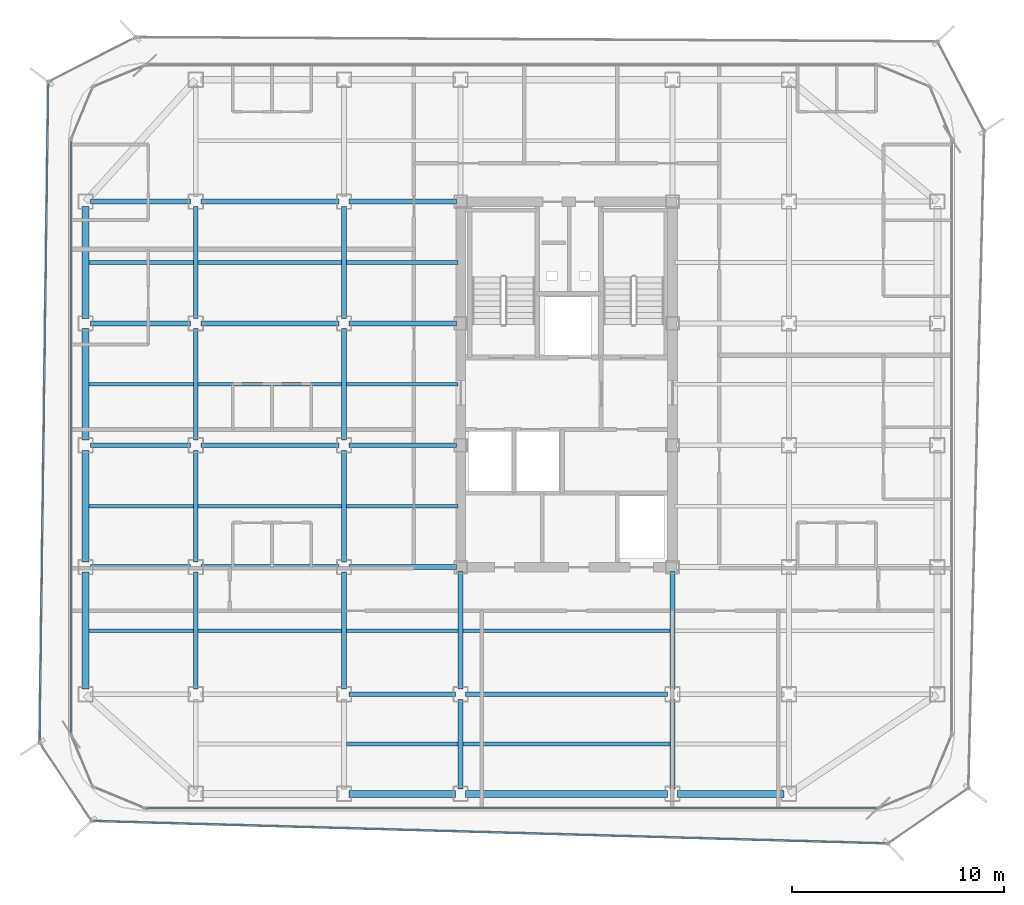
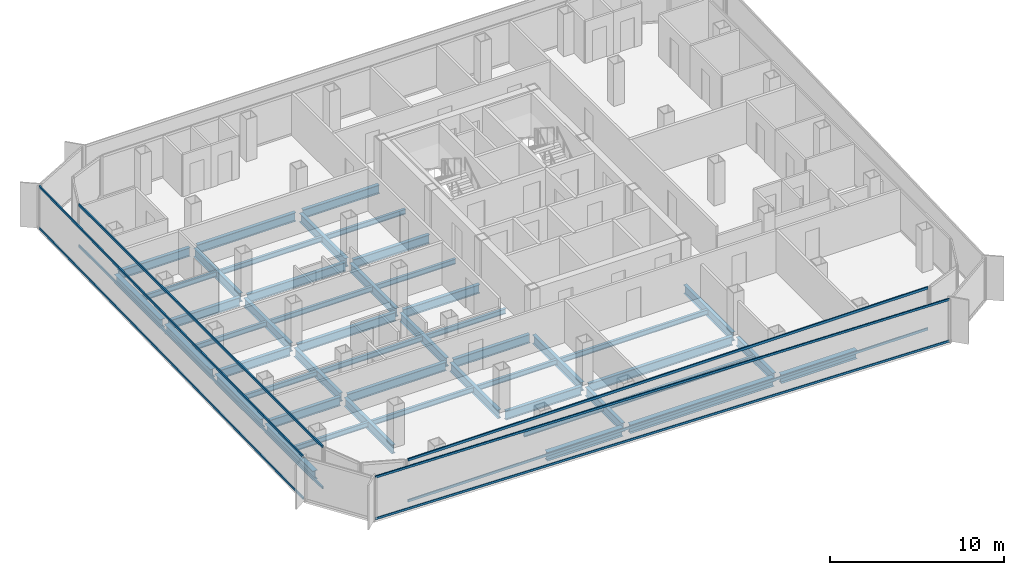
# One storey, part 3 of 15: 48 beams, 8 members, 4 elements without a shape of their own.
"""IFC4 building model written with IfcOpenShell, lengths in metres."""

from ifc_helpers import new_model, si_unit, direction, frame, origin, origin_2d, place, context, subcontext, project, spatial, hollow_rectangle, i_section, extrude, source, transform, mapped, material, layer, layer_set, material_profile, profile_set, type_object, element, aggregate, save


model = new_model("IFC4")

# Units and contexts
model_context = context("Model", 3, precision=1e-05, world=origin(), true_north=direction((0.0, 1.0)))
body_context = subcontext(model_context, "Body", "Model", "MODEL_VIEW")
ifc_project = project(units=[si_unit("LENGTHUNIT", "METRE"), si_unit("AREAUNIT", "SQUARE_METRE"), si_unit("VOLUMEUNIT", "CUBIC_METRE"), si_unit("PLANEANGLEUNIT", "RADIAN"), si_unit("MASSUNIT", "GRAM", prefix="KILO")], contexts=[model_context])

# Site, building, storey
site_placement = place(None, origin())
site = spatial("IfcSite", under=ifc_project, at=site_placement, CompositionType="ELEMENT")
building_placement = place(site_placement, origin())
building = spatial("IfcBuilding", under=site, at=building_placement, Name="Kolveth Station Tower", CompositionType="ELEMENT")
storey_placement = place(building_placement, frame((0.0, 0.0, 168.89990234375)))
storey = spatial("IfcBuildingStorey", under=building, at=storey_placement, Name="L47", CompositionType="ELEMENT", Elevation=168.89990234375)

# Beams
ifc_material_1 = material(Name="Steel S355", Category="steel")
ifc_material_profile_1 = material_profile(ifc_material_1, i_section(OverallWidth=0.323974609375, OverallDepth=0.611083984375, WebThickness=0.0126953125, FlangeThickness=0.01904296875, at=origin_2d()), Name="W610x155")
ifc_profile_set_1 = profile_set([ifc_material_profile_1], Name="Steel S355")
beam_type_1 = type_object("IfcBeamType", Name="Beam_SP2", PredefinedType="SPANDREL", material=ifc_profile_set_1)
shared_shape_1 = source(origin(), body_context, "Body", "SweptSolid", [
    extrude(i_section(OverallWidth=0.323974609375, OverallDepth=0.611083984375, WebThickness=0.0126953125, FlangeThickness=0.01904296875, at=origin_2d()), origin(), (0.0, 0.0, 1.0), 5.02001953125),
])
for number, where, z_axis, x_axis, name in (
    (1, (13.239990234375, 0.800048828125, -0.555419921875), (1.0, 0.0, 0.0), (0.0, 1.0, 0.0), "L47 Perimeter Spandrel BM-L47-PS-2"),
    (2, (28.739990234375, 0.800048828125, -0.555419921875), (1.0, 0.0, 0.0), (0.0, 1.0, 0.0), "L47 Perimeter Spandrel BM-L47-PS-4"),
):
    element("IfcBeam", number, at=place(storey_placement, frame(where, z_axis=z_axis, x_axis=x_axis)), inside=storey, type_object=beam_type_1, Name=name, PredefinedType="SPANDREL", context=body_context, shape_type="MappedRepresentation", body=[
        mapped(shared_shape_1, transform((0.0, 0.0, 0.0), x_axis=(1.0, 0.0, 0.0), y_axis=(0.0, 1.0, 0.0), z_axis=(0.0, 0.0, 1.0), scale=1.0)),
    ])
shared_shape_2 = source(origin(), body_context, "Body", "SweptSolid", [
    extrude(i_section(OverallWidth=0.323974609375, OverallDepth=0.611083984375, WebThickness=0.0126953125, FlangeThickness=0.01904296875, at=origin_2d()), origin(), (0.0, 0.0, 1.0), 9.52001953125),
])
beam_1_placement = place(storey_placement, frame((18.739990234375, 0.800048828125, -0.555419921875), z_axis=(1.0, 0.0, 0.0), x_axis=(0.0, 1.0, 0.0)))
element("IfcBeam", 3, at=beam_1_placement, inside=storey, type_object=beam_type_1, Name="L47 Perimeter Spandrel BM-L47-PS-3", PredefinedType="SPANDREL", context=body_context, shape_type="MappedRepresentation", body=[
    mapped(shared_shape_2, transform((0.0, 0.0, 0.0), x_axis=(1.0, 0.0, 0.0), y_axis=(0.0, 1.0, 0.0), z_axis=(0.0, 0.0, 1.0), scale=1.0)),
])
shared_shape_3 = source(origin(), body_context, "Body", "SweptSolid", [
    extrude(i_section(OverallWidth=0.323974609375, OverallDepth=0.611083984375, WebThickness=0.0126953125, FlangeThickness=0.01904296875, at=origin_2d()), origin(), (0.0, 0.0, 1.0), 5.52001953125),
])
beam_2_placement = place(storey_placement, frame((0.800048828125, 5.739990234375, -0.555419921875), z_axis=(0.0, 1.0, 0.0), x_axis=(-1.0, 0.0, 0.0)))
element("IfcBeam", 4, at=beam_2_placement, inside=storey, type_object=beam_type_1, Name="L47 Perimeter Spandrel BM-L47-PW-1", PredefinedType="SPANDREL", context=body_context, shape_type="MappedRepresentation", body=[
    mapped(shared_shape_3, transform((0.0, 0.0, 0.0), x_axis=(1.0, 0.0, 0.0), y_axis=(0.0, 1.0, 0.0), z_axis=(0.0, 0.0, 1.0), scale=1.0)),
])
shared_shape_4 = source(origin(), body_context, "Body", "SweptSolid", [
    extrude(i_section(OverallWidth=0.323974609375, OverallDepth=0.611083984375, WebThickness=0.0126953125, FlangeThickness=0.01904296875, at=origin_2d()), origin(), (0.0, 0.0, 1.0), 5.27001953125),
])
for number, where, z_axis, x_axis, name in (
    (5, (0.800048828125, 11.739990234375, -0.555419921875), (0.0, 1.0, 0.0), (-1.0, 0.0, 0.0), "L47 Perimeter Spandrel BM-L47-PW-2"),
    (6, (0.800048828125, 17.489990234375, -0.555419921875), (0.0, 1.0, 0.0), (-1.0, 0.0, 0.0), "L47 Perimeter Spandrel BM-L47-PW-3"),
    (7, (0.800048828125, 23.239990234375, -0.555419921875), (0.0, 1.0, 0.0), (-1.0, 0.0, 0.0), "L47 Perimeter Spandrel BM-L47-PW-4"),
):
    element("IfcBeam", number, at=place(storey_placement, frame(where, z_axis=z_axis, x_axis=x_axis)), inside=storey, type_object=beam_type_1, Name=name, PredefinedType="SPANDREL", context=body_context, shape_type="MappedRepresentation", body=[
        mapped(shared_shape_4, transform((0.0, 0.0, 0.0), x_axis=(1.0, 0.0, 0.0), y_axis=(0.0, 1.0, 0.0), z_axis=(0.0, 0.0, 1.0), scale=1.0)),
    ])
ifc_material_profile_2 = material_profile(ifc_material_1, i_section(OverallWidth=0.22900390625, OverallDepth=0.612060546875, WebThickness=0.011962890625, FlangeThickness=0.01953125, at=origin_2d()), Name="W610x125")
ifc_profile_set_2 = profile_set([ifc_material_profile_2], Name="Steel S355")
beam_type_2 = type_object("IfcBeamType", Name="Beam_B5", PredefinedType="BEAM", material=ifc_profile_set_2)
shared_shape_5 = source(origin(), body_context, "Body", "SweptSolid", [
    extrude(i_section(OverallWidth=0.22900390625, OverallDepth=0.612060546875, WebThickness=0.011962890625, FlangeThickness=0.01953125, at=origin_2d()), origin(), (0.0, 0.0, 1.0), 4.719970703125),
])
for number, where, z_axis, x_axis, name in (
    (8, (1.0400390625, 11.5, -0.555908203125), (1.0, 0.0, 0.0), (0.0, 1.0, 0.0), "L47 Primary Girder BM-L47-GY115-1"),
    (9, (1.0400390625, 17.25, -0.555908203125), (1.0, 0.0, 0.0), (0.0, 1.0, 0.0), "L47 Primary Girder BM-L47-GY172-1"),
    (10, (1.0400390625, 23.0, -0.555908203125), (1.0, 0.0, 0.0), (0.0, 1.0, 0.0), "L47 Primary Girder BM-L47-GY230-1"),
    (11, (1.0400390625, 28.75, -0.555908203125), (1.0, 0.0, 0.0), (0.0, 1.0, 0.0), "L47 Primary Girder BM-L47-GY287-1"),
):
    element("IfcBeam", number, at=place(storey_placement, frame(where, z_axis=z_axis, x_axis=x_axis)), inside=storey, type_object=beam_type_2, Name=name, PredefinedType="BEAM", context=body_context, shape_type="MappedRepresentation", body=[
        mapped(shared_shape_5, transform((0.0, 0.0, 0.0), x_axis=(1.0, 0.0, 0.0), y_axis=(0.0, 1.0, 0.0), z_axis=(0.0, 0.0, 1.0), scale=1.0)),
    ])
shared_shape_6 = source(origin(), body_context, "Body", "SweptSolid", [
    extrude(i_section(OverallWidth=0.22900390625, OverallDepth=0.612060546875, WebThickness=0.011962890625, FlangeThickness=0.01953125, at=origin_2d()), origin(), (0.0, 0.0, 1.0), 6.52001953125),
])
for number, where, z_axis, x_axis, name in (
    (12, (6.239990234375, 11.5, -0.555908203125), (1.0, 0.0, 0.0), (0.0, 1.0, 0.0), "L47 Primary Girder BM-L47-GY115-2"),
    (13, (6.239990234375, 17.25, -0.555908203125), (1.0, 0.0, 0.0), (0.0, 1.0, 0.0), "L47 Primary Girder BM-L47-GY172-2"),
    (14, (6.239990234375, 23.0, -0.555908203125), (1.0, 0.0, 0.0), (0.0, 1.0, 0.0), "L47 Primary Girder BM-L47-GY230-2"),
    (15, (6.239990234375, 28.75, -0.555908203125), (1.0, 0.0, 0.0), (0.0, 1.0, 0.0), "L47 Primary Girder BM-L47-GY287-2"),
):
    element("IfcBeam", number, at=place(storey_placement, frame(where, z_axis=z_axis, x_axis=x_axis)), inside=storey, type_object=beam_type_2, Name=name, PredefinedType="BEAM", context=body_context, shape_type="MappedRepresentation", body=[
        mapped(shared_shape_6, transform((0.0, 0.0, 0.0), x_axis=(1.0, 0.0, 0.0), y_axis=(0.0, 1.0, 0.0), z_axis=(0.0, 0.0, 1.0), scale=1.0)),
    ])
shared_shape_7 = source(origin(), body_context, "Body", "SweptSolid", [
    extrude(i_section(OverallWidth=0.22900390625, OverallDepth=0.612060546875, WebThickness=0.011962890625, FlangeThickness=0.01953125, at=origin_2d()), origin(), (0.0, 0.0, 1.0), 5.02001953125),
])
beam_3_placement = place(storey_placement, frame((13.239990234375, 5.5, -0.555908203125), z_axis=(1.0, 0.0, 0.0), x_axis=(0.0, 1.0, 0.0)))
element("IfcBeam", 16, at=beam_3_placement, inside=storey, type_object=beam_type_2, Name="L47 Primary Girder BM-L47-GY55-3", PredefinedType="BEAM", context=body_context, shape_type="MappedRepresentation", body=[
    mapped(shared_shape_7, transform((0.0, 0.0, 0.0), x_axis=(1.0, 0.0, 0.0), y_axis=(0.0, 1.0, 0.0), z_axis=(0.0, 0.0, 1.0), scale=1.0)),
])
shared_shape_8 = source(origin(), body_context, "Body", "SweptSolid", [
    extrude(i_section(OverallWidth=0.22900390625, OverallDepth=0.612060546875, WebThickness=0.011962890625, FlangeThickness=0.01953125, at=origin_2d()), origin(), (0.0, 0.0, 1.0), 9.52001953125),
])
beam_4_placement = place(storey_placement, frame((18.739990234375, 5.5, -0.555908203125), z_axis=(1.0, 0.0, 0.0), x_axis=(0.0, 1.0, 0.0)))
element("IfcBeam", 17, at=beam_4_placement, inside=storey, type_object=beam_type_2, Name="L47 Primary Girder BM-L47-GY55-4", PredefinedType="BEAM", context=body_context, shape_type="MappedRepresentation", body=[
    mapped(shared_shape_8, transform((0.0, 0.0, 0.0), x_axis=(1.0, 0.0, 0.0), y_axis=(0.0, 1.0, 0.0), z_axis=(0.0, 0.0, 1.0), scale=1.0)),
])
shared_shape_9 = source(origin(), body_context, "Body", "SweptSolid", [
    extrude(i_section(OverallWidth=0.22900390625, OverallDepth=0.612060546875, WebThickness=0.011962890625, FlangeThickness=0.01953125, at=origin_2d()), origin(), (0.0, 0.0, 1.0), 5.06005859375),
])
for number, where, z_axis, x_axis, name in (
    (18, (13.239990234375, 11.5, -0.555908203125), (1.0, 0.0, 0.0), (0.0, 1.0, 0.0), "L47 Primary Girder BM-L47-GY115-3"),
    (19, (13.239990234375, 17.25, -0.555908203125), (1.0, 0.0, 0.0), (0.0, 1.0, 0.0), "L47 Primary Girder BM-L47-GY172-3"),
    (20, (13.239990234375, 23.0, -0.555908203125), (1.0, 0.0, 0.0), (0.0, 1.0, 0.0), "L47 Primary Girder BM-L47-GY230-3"),
    (21, (13.239990234375, 28.75, -0.555908203125), (1.0, 0.0, 0.0), (0.0, 1.0, 0.0), "L47 Primary Girder BM-L47-GY287-3"),
):
    element("IfcBeam", number, at=place(storey_placement, frame(where, z_axis=z_axis, x_axis=x_axis)), inside=storey, type_object=beam_type_2, Name=name, PredefinedType="BEAM", context=body_context, shape_type="MappedRepresentation", body=[
        mapped(shared_shape_9, transform((0.0, 0.0, 0.0), x_axis=(1.0, 0.0, 0.0), y_axis=(0.0, 1.0, 0.0), z_axis=(0.0, 0.0, 1.0), scale=1.0)),
    ])
shared_shape_10 = source(origin(), body_context, "Body", "SweptSolid", [
    extrude(i_section(OverallWidth=0.22900390625, OverallDepth=0.612060546875, WebThickness=0.011962890625, FlangeThickness=0.01953125, at=origin_2d()), origin(), (0.0, 0.0, 1.0), 4.219970703125),
])
for number, where, z_axis, x_axis, name in (
    (22, (18.5, 1.0400390625, -0.555908203125), (0.0, 1.0, 0.0), (-1.0, 0.0, 0.0), "L47 Primary Girder BM-L47-GX185-1"),
    (23, (28.5, 1.0400390625, -0.555908203125), (0.0, 1.0, 0.0), (-1.0, 0.0, 0.0), "L47 Primary Girder BM-L47-GX285-1"),
):
    element("IfcBeam", number, at=place(storey_placement, frame(where, z_axis=z_axis, x_axis=x_axis)), inside=storey, type_object=beam_type_2, Name=name, PredefinedType="BEAM", context=body_context, shape_type="MappedRepresentation", body=[
        mapped(shared_shape_10, transform((0.0, 0.0, 0.0), x_axis=(1.0, 0.0, 0.0), y_axis=(0.0, 1.0, 0.0), z_axis=(0.0, 0.0, 1.0), scale=1.0)),
    ])
shared_shape_11 = source(origin(), body_context, "Body", "SweptSolid", [
    extrude(i_section(OverallWidth=0.22900390625, OverallDepth=0.612060546875, WebThickness=0.011962890625, FlangeThickness=0.01953125, at=origin_2d()), origin(), (0.0, 0.0, 1.0), 5.52001953125),
])
for number, where, z_axis, x_axis, name in (
    (24, (6.0, 5.739990234375, -0.555908203125), (0.0, 1.0, 0.0), (-1.0, 0.0, 0.0), "L47 Primary Girder BM-L47-GX60-2"),
    (25, (13.0, 5.739990234375, -0.555908203125), (0.0, 1.0, 0.0), (-1.0, 0.0, 0.0), "L47 Primary Girder BM-L47-GX130-2"),
):
    element("IfcBeam", number, at=place(storey_placement, frame(where, z_axis=z_axis, x_axis=x_axis)), inside=storey, type_object=beam_type_2, Name=name, PredefinedType="BEAM", context=body_context, shape_type="MappedRepresentation", body=[
        mapped(shared_shape_11, transform((0.0, 0.0, 0.0), x_axis=(1.0, 0.0, 0.0), y_axis=(0.0, 1.0, 0.0), z_axis=(0.0, 0.0, 1.0), scale=1.0)),
    ])
shared_shape_12 = source(origin(), body_context, "Body", "SweptSolid", [
    extrude(i_section(OverallWidth=0.22900390625, OverallDepth=0.612060546875, WebThickness=0.011962890625, FlangeThickness=0.01953125, at=origin_2d()), origin(), (0.0, 0.0, 1.0), 5.27001953125),
])
for number, where, z_axis, x_axis, name in (
    (26, (6.0, 11.739990234375, -0.555908203125), (0.0, 1.0, 0.0), (-1.0, 0.0, 0.0), "L47 Primary Girder BM-L47-GX60-3"),
    (27, (6.0, 17.489990234375, -0.555908203125), (0.0, 1.0, 0.0), (-1.0, 0.0, 0.0), "L47 Primary Girder BM-L47-GX60-4"),
    (28, (6.0, 23.239990234375, -0.555908203125), (0.0, 1.0, 0.0), (-1.0, 0.0, 0.0), "L47 Primary Girder BM-L47-GX60-5"),
    (29, (13.0, 11.739990234375, -0.555908203125), (0.0, 1.0, 0.0), (-1.0, 0.0, 0.0), "L47 Primary Girder BM-L47-GX130-3"),
    (30, (13.0, 17.489990234375, -0.555908203125), (0.0, 1.0, 0.0), (-1.0, 0.0, 0.0), "L47 Primary Girder BM-L47-GX130-4"),
    (31, (13.0, 23.239990234375, -0.555908203125), (0.0, 1.0, 0.0), (-1.0, 0.0, 0.0), "L47 Primary Girder BM-L47-GX130-5"),
):
    element("IfcBeam", number, at=place(storey_placement, frame(where, z_axis=z_axis, x_axis=x_axis)), inside=storey, type_object=beam_type_2, Name=name, PredefinedType="BEAM", context=body_context, shape_type="MappedRepresentation", body=[
        mapped(shared_shape_12, transform((0.0, 0.0, 0.0), x_axis=(1.0, 0.0, 0.0), y_axis=(0.0, 1.0, 0.0), z_axis=(0.0, 0.0, 1.0), scale=1.0)),
    ])
shared_shape_13 = source(origin(), body_context, "Body", "SweptSolid", [
    extrude(i_section(OverallWidth=0.22900390625, OverallDepth=0.612060546875, WebThickness=0.011962890625, FlangeThickness=0.01953125, at=origin_2d()), origin(), (0.0, 0.0, 1.0), 5.56005859375),
])
for number, where, z_axis, x_axis, name in (
    (32, (18.5, 5.739990234375, -0.555908203125), (0.0, 1.0, 0.0), (-1.0, 0.0, 0.0), "L47 Primary Girder BM-L47-GX185-2"),
    (33, (28.5, 5.739990234375, -0.555908203125), (0.0, 1.0, 0.0), (-1.0, 0.0, 0.0), "L47 Primary Girder BM-L47-GX285-2"),
):
    element("IfcBeam", number, at=place(storey_placement, frame(where, z_axis=z_axis, x_axis=x_axis)), inside=storey, type_object=beam_type_2, Name=name, PredefinedType="BEAM", context=body_context, shape_type="MappedRepresentation", body=[
        mapped(shared_shape_13, transform((0.0, 0.0, 0.0), x_axis=(1.0, 0.0, 0.0), y_axis=(0.0, 1.0, 0.0), z_axis=(0.0, 0.0, 1.0), scale=1.0)),
    ])
ifc_material_profile_3 = material_profile(ifc_material_1, i_section(OverallWidth=0.1708984375, OverallDepth=0.35205078125, WebThickness=0.0068359375, FlangeThickness=0.009765625, at=origin_2d()), Name="W360x44")
ifc_profile_set_3 = profile_set([ifc_material_profile_3], Name="Steel S355")
beam_type_3 = type_object("IfcBeamType", Name="Beam_J2", PredefinedType="JOIST", material=ifc_profile_set_3)
shared_shape_14 = source(origin(), body_context, "Body", "SweptSolid", [
    extrude(i_section(OverallWidth=0.1708984375, OverallDepth=0.35205078125, WebThickness=0.0068359375, FlangeThickness=0.009765625, at=origin_2d()), origin(), (0.0, 0.0, 1.0), 4.927490234375),
])
for number, where, z_axis, x_axis, name in (
    (34, (0.9599609375, 8.5, -0.42578125), (1.0, 0.0, 0.0), (0.0, 1.0, 0.0), "L47 Secondary Joist JST-L47-1-2"),
    (35, (0.9599609375, 14.375, -0.42578125), (1.0, 0.0, 0.0), (0.0, 1.0, 0.0), "L47 Secondary Joist JST-L47-1-3"),
    (36, (0.9599609375, 20.125, -0.42578125), (1.0, 0.0, 0.0), (0.0, 1.0, 0.0), "L47 Secondary Joist JST-L47-1-4"),
    (37, (0.9599609375, 25.875, -0.42578125), (1.0, 0.0, 0.0), (0.0, 1.0, 0.0), "L47 Secondary Joist JST-L47-1-5"),
):
    element("IfcBeam", number, at=place(storey_placement, frame(where, z_axis=z_axis, x_axis=x_axis)), inside=storey, type_object=beam_type_3, Name=name, PredefinedType="JOIST", context=body_context, shape_type="MappedRepresentation", body=[
        mapped(shared_shape_14, transform((0.0, 0.0, 0.0), x_axis=(1.0, 0.0, 0.0), y_axis=(0.0, 1.0, 0.0), z_axis=(0.0, 0.0, 1.0), scale=1.0)),
    ])
shared_shape_15 = source(origin(), body_context, "Body", "SweptSolid", [
    extrude(i_section(OverallWidth=0.1708984375, OverallDepth=0.35205078125, WebThickness=0.0068359375, FlangeThickness=0.009765625, at=origin_2d()), origin(), (0.0, 0.0, 1.0), 6.77490234375),
])
for number, where, z_axis, x_axis, name in (
    (38, (6.112548828125, 8.5, -0.42578125), (1.0, 0.0, 0.0), (0.0, 1.0, 0.0), "L47 Secondary Joist JST-L47-2-2"),
    (39, (6.112548828125, 14.375, -0.42578125), (1.0, 0.0, 0.0), (0.0, 1.0, 0.0), "L47 Secondary Joist JST-L47-2-3"),
    (40, (6.112548828125, 20.125, -0.42578125), (1.0, 0.0, 0.0), (0.0, 1.0, 0.0), "L47 Secondary Joist JST-L47-2-4"),
    (41, (6.112548828125, 25.875, -0.42578125), (1.0, 0.0, 0.0), (0.0, 1.0, 0.0), "L47 Secondary Joist JST-L47-2-5"),
):
    element("IfcBeam", number, at=place(storey_placement, frame(where, z_axis=z_axis, x_axis=x_axis)), inside=storey, type_object=beam_type_3, Name=name, PredefinedType="JOIST", context=body_context, shape_type="MappedRepresentation", body=[
        mapped(shared_shape_15, transform((0.0, 0.0, 0.0), x_axis=(1.0, 0.0, 0.0), y_axis=(0.0, 1.0, 0.0), z_axis=(0.0, 0.0, 1.0), scale=1.0)),
    ])
shared_shape_16 = source(origin(), body_context, "Body", "SweptSolid", [
    extrude(i_section(OverallWidth=0.1708984375, OverallDepth=0.35205078125, WebThickness=0.0068359375, FlangeThickness=0.009765625, at=origin_2d()), origin(), (0.0, 0.0, 1.0), 5.27490234375),
])
for number, where, z_axis, x_axis, name in (
    (42, (13.112548828125, 3.14990234375, -0.42578125), (1.0, 0.0, 0.0), (0.0, 1.0, 0.0), "L47 Secondary Joist JST-L47-3-1"),
    (43, (13.112548828125, 8.5, -0.42578125), (1.0, 0.0, 0.0), (0.0, 1.0, 0.0), "L47 Secondary Joist JST-L47-3-2"),
    (44, (13.112548828125, 14.375, -0.42578125), (1.0, 0.0, 0.0), (0.0, 1.0, 0.0), "L47 Secondary Joist JST-L47-3-3"),
    (45, (13.112548828125, 20.125, -0.42578125), (1.0, 0.0, 0.0), (0.0, 1.0, 0.0), "L47 Secondary Joist JST-L47-3-4"),
    (46, (13.112548828125, 25.875, -0.42578125), (1.0, 0.0, 0.0), (0.0, 1.0, 0.0), "L47 Secondary Joist JST-L47-3-5"),
):
    element("IfcBeam", number, at=place(storey_placement, frame(where, z_axis=z_axis, x_axis=x_axis)), inside=storey, type_object=beam_type_3, Name=name, PredefinedType="JOIST", context=body_context, shape_type="MappedRepresentation", body=[
        mapped(shared_shape_16, transform((0.0, 0.0, 0.0), x_axis=(1.0, 0.0, 0.0), y_axis=(0.0, 1.0, 0.0), z_axis=(0.0, 0.0, 1.0), scale=1.0)),
    ])
shared_shape_17 = source(origin(), body_context, "Body", "SweptSolid", [
    extrude(i_section(OverallWidth=0.1708984375, OverallDepth=0.35205078125, WebThickness=0.0068359375, FlangeThickness=0.009765625, at=origin_2d()), origin(), (0.0, 0.0, 1.0), 9.77490234375),
])
for number, where, z_axis, x_axis, name in (
    (47, (18.612548828125, 3.14990234375, -0.42578125), (1.0, 0.0, 0.0), (0.0, 1.0, 0.0), "L47 Secondary Joist JST-L47-4-1"),
    (48, (18.612548828125, 8.5, -0.42578125), (1.0, 0.0, 0.0), (0.0, 1.0, 0.0), "L47 Secondary Joist JST-L47-4-2"),
):
    element("IfcBeam", number, at=place(storey_placement, frame(where, z_axis=z_axis, x_axis=x_axis)), inside=storey, type_object=beam_type_3, Name=name, PredefinedType="JOIST", context=body_context, shape_type="MappedRepresentation", body=[
        mapped(shared_shape_17, transform((0.0, 0.0, 0.0), x_axis=(1.0, 0.0, 0.0), y_axis=(0.0, 1.0, 0.0), z_axis=(0.0, 0.0, 1.0), scale=1.0)),
    ])

# Curtain wall, members
ifc_material_2 = material(Name="Aluminium 6063-T6 and low-E dark glass", Category="aluminium")
ifc_layer_1 = layer(ifc_material_2, 0.18994140625)
ifc_layer_set_1 = layer_set([ifc_layer_1], Name="Aluminium 6063-T6 and low-E dark glass")
curtain_wall_type_1 = type_object("IfcCurtainWallType", Name="CurtainWall_CW-Z2", PredefinedType="NOTDEFINED", material=ifc_layer_set_1)
curtain_wall_1_placement = place(storey_placement, origin())
curtain_wall_1 = element("IfcCurtainWall", 49, at=curtain_wall_1_placement, inside=storey, type_object=curtain_wall_type_1, Name="L47 Inner Thermal Curtain Wall 9", PredefinedType="NOTDEFINED")
ifc_material_3 = material(Name="Black anodized aluminium 6063-T6", Category="aluminium")
ifc_material_profile_4 = material_profile(ifc_material_3, hollow_rectangle(XDim=0.080078125, YDim=0.169921875, WallThickness=0.0048828125, at=origin_2d()), Name="ALU-80x170x5")
ifc_profile_set_4 = profile_set([ifc_material_profile_4], Name="Black anodized aluminium 6063-T6")
member_type_1 = type_object("IfcMemberType", Name="Transom_TR2", PredefinedType="USERDEFINED", material=ifc_profile_set_4)
shared_shape_18 = source(origin(), body_context, "Body", "SweptSolid", [
    extrude(hollow_rectangle(XDim=0.080078125, YDim=0.169921875, WallThickness=0.0048828125, at=origin_2d()), origin(), (0.0, 0.0, 1.0), 27.940185546875),
])
member_1_placement = place(storey_placement, frame((0.1201171875, 31.6201171875, 0.0400390625), z_axis=(0.0, -1.0, 0.0), x_axis=(1.0, 0.0, 0.0)))
member_1 = element("IfcMember", 50, at=member_1_placement, type_object=member_type_1, Name="CW-Z2 transom 1.1", ObjectType="TRANSOM", PredefinedType="USERDEFINED", context=body_context, shape_type="MappedRepresentation", body=[
    mapped(shared_shape_18, transform((0.0, 0.0, 0.0), x_axis=(1.0, 0.0, 0.0), y_axis=(0.0, 1.0, 0.0), z_axis=(0.0, 0.0, 1.0), scale=1.0)),
])
member_2_placement = place(storey_placement, frame((0.1201171875, 31.6201171875, 2.91015625), z_axis=(0.0, -1.0, 0.0), x_axis=(1.0, 0.0, 0.0)))
member_2 = element("IfcMember", 51, at=member_2_placement, type_object=member_type_1, Name="CW-Z2 transom 1.2", ObjectType="TRANSOM", PredefinedType="USERDEFINED", context=body_context, shape_type="MappedRepresentation", body=[
    mapped(shared_shape_18, transform((0.0, 0.0, 0.0), x_axis=(1.0, 0.0, 0.0), y_axis=(0.0, 1.0, 0.0), z_axis=(0.0, 0.0, 1.0), scale=1.0)),
])
aggregate(curtain_wall_1, [member_1, member_2])

curtain_wall_2_placement = place(storey_placement, origin())
curtain_wall_2 = element("IfcCurtainWall", 52, at=curtain_wall_2_placement, inside=storey, type_object=curtain_wall_type_1, Name="L47 Inner Thermal Curtain Wall 12", PredefinedType="NOTDEFINED")
shared_shape_19 = source(origin(), body_context, "Body", "SweptSolid", [
    extrude(hollow_rectangle(XDim=0.080078125, YDim=0.169921875, WallThickness=0.0048828125, at=origin_2d()), origin(), (0.0, 0.0, 1.0), 34.440185546875),
])
member_3_placement = place(storey_placement, frame((3.679931640625, 0.1201171875, 0.0400390625), z_axis=(1.0, 0.0, 0.0), x_axis=(0.0, 1.0, 0.0)))
member_3 = element("IfcMember", 53, at=member_3_placement, type_object=member_type_1, Name="CW-Z2 transom 1.1", ObjectType="TRANSOM", PredefinedType="USERDEFINED", context=body_context, shape_type="MappedRepresentation", body=[
    mapped(shared_shape_19, transform((0.0, 0.0, 0.0), x_axis=(1.0, 0.0, 0.0), y_axis=(0.0, 1.0, 0.0), z_axis=(0.0, 0.0, 1.0), scale=1.0)),
])
member_4_placement = place(storey_placement, frame((3.679931640625, 0.1201171875, 2.91015625), z_axis=(1.0, 0.0, 0.0), x_axis=(0.0, 1.0, 0.0)))
member_4 = element("IfcMember", 54, at=member_4_placement, type_object=member_type_1, Name="CW-Z2 transom 1.2", ObjectType="TRANSOM", PredefinedType="USERDEFINED", context=body_context, shape_type="MappedRepresentation", body=[
    mapped(shared_shape_19, transform((0.0, 0.0, 0.0), x_axis=(1.0, 0.0, 0.0), y_axis=(0.0, 1.0, 0.0), z_axis=(0.0, 0.0, 1.0), scale=1.0)),
])
aggregate(curtain_wall_2, [member_3, member_4])

ifc_material_4 = material(Name="Black anodized aluminium 6063-T6 and dark solar glass", Category="aluminium")
ifc_layer_2 = layer(ifc_material_4, 0.159912109375)
ifc_layer_set_2 = layer_set([ifc_layer_2], Name="Black anodized aluminium 6063-T6 and dark solar glass")
curtain_wall_type_2 = type_object("IfcCurtainWallType", Name="OUTER SKIN CW-OS", PredefinedType="NOTDEFINED", material=ifc_layer_set_2)
curtain_wall_3_placement = place(storey_placement, origin())
curtain_wall_3 = element("IfcCurtainWall", 55, at=curtain_wall_3_placement, inside=storey, type_object=curtain_wall_type_2, Name="L47 Outer Ventilated Skin Curtain Wall 6", PredefinedType="NOTDEFINED")
ifc_material_profile_5 = material_profile(ifc_material_3, hollow_rectangle(XDim=0.080078125, YDim=0.14990234375, WallThickness=0.0048828125, at=origin_2d()), Name="ALU-80x150x5")
ifc_profile_set_5 = profile_set([ifc_material_profile_5], Name="Black anodized aluminium 6063-T6")
member_type_2 = type_object("IfcMemberType", Name="Transom_TR-OS", PredefinedType="USERDEFINED", material=ifc_profile_set_5)
shared_shape_20 = source(origin(), body_context, "Body", "SweptSolid", [
    extrude(hollow_rectangle(XDim=0.080078125, YDim=0.14990234375, WallThickness=0.0048828125, at=origin_2d()), origin(), (0.0, 0.0, 1.0), 30.996826171875),
])
member_5_placement = place(storey_placement, frame((-0.95947265625, 34.309326171875, 0.0400390625), z_axis=(-0.013074690493, -0.999914522581, 0.0), x_axis=(0.999914522581, -0.013074690493, 0.0)))
member_5 = element("IfcMember", 56, at=member_5_placement, type_object=member_type_2, Name="CW-OS transom 1.1", ObjectType="TRANSOM", PredefinedType="USERDEFINED", context=body_context, shape_type="MappedRepresentation", body=[
    mapped(shared_shape_20, transform((0.0, 0.0, 0.0), x_axis=(1.0, 0.0, 0.0), y_axis=(0.0, 1.0, 0.0), z_axis=(0.0, 0.0, 1.0), scale=1.0)),
])
member_6_placement = place(storey_placement, frame((-0.95947265625, 34.309326171875, 2.9501953125), z_axis=(-0.013074690493, -0.999914522581, 0.0), x_axis=(0.999914522581, -0.013074690493, 0.0)))
member_6 = element("IfcMember", 57, at=member_6_placement, type_object=member_type_2, Name="CW-OS transom 1.2", ObjectType="TRANSOM", PredefinedType="USERDEFINED", context=body_context, shape_type="MappedRepresentation", body=[
    mapped(shared_shape_20, transform((0.0, 0.0, 0.0), x_axis=(1.0, 0.0, 0.0), y_axis=(0.0, 1.0, 0.0), z_axis=(0.0, 0.0, 1.0), scale=1.0)),
])
aggregate(curtain_wall_3, [member_5, member_6])

curtain_wall_4_placement = place(storey_placement, origin())
curtain_wall_4 = element("IfcCurtainWall", 58, at=curtain_wall_4_placement, inside=storey, type_object=curtain_wall_type_2, Name="L47 Outer Ventilated Skin Curtain Wall 8", PredefinedType="NOTDEFINED")
shared_shape_21 = source(origin(), body_context, "Body", "SweptSolid", [
    extrude(hollow_rectangle(XDim=0.080078125, YDim=0.14990234375, WallThickness=0.0048828125, at=origin_2d()), origin(), (0.0, 0.0, 1.0), 37.413330078125),
])
member_7_placement = place(storey_placement, frame((1.17724609375, -0.4833984375, 0.0400390625), z_axis=(0.999598707277, -0.028327096748, 0.0), x_axis=(0.028327096748, 0.999598707277, 0.0)))
member_7 = element("IfcMember", 59, at=member_7_placement, type_object=member_type_2, Name="CW-OS transom 1.1", ObjectType="TRANSOM", PredefinedType="USERDEFINED", context=body_context, shape_type="MappedRepresentation", body=[
    mapped(shared_shape_21, transform((0.0, 0.0, 0.0), x_axis=(1.0, 0.0, 0.0), y_axis=(0.0, 1.0, 0.0), z_axis=(0.0, 0.0, 1.0), scale=1.0)),
])
member_8_placement = place(storey_placement, frame((1.17724609375, -0.4833984375, 2.9501953125), z_axis=(0.999598707277, -0.028327096748, 0.0), x_axis=(0.028327096748, 0.999598707277, 0.0)))
member_8 = element("IfcMember", 60, at=member_8_placement, type_object=member_type_2, Name="CW-OS transom 1.2", ObjectType="TRANSOM", PredefinedType="USERDEFINED", context=body_context, shape_type="MappedRepresentation", body=[
    mapped(shared_shape_21, transform((0.0, 0.0, 0.0), x_axis=(1.0, 0.0, 0.0), y_axis=(0.0, 1.0, 0.0), z_axis=(0.0, 0.0, 1.0), scale=1.0)),
])
aggregate(curtain_wall_4, [member_7, member_8])

save(model, "model.ifc")
